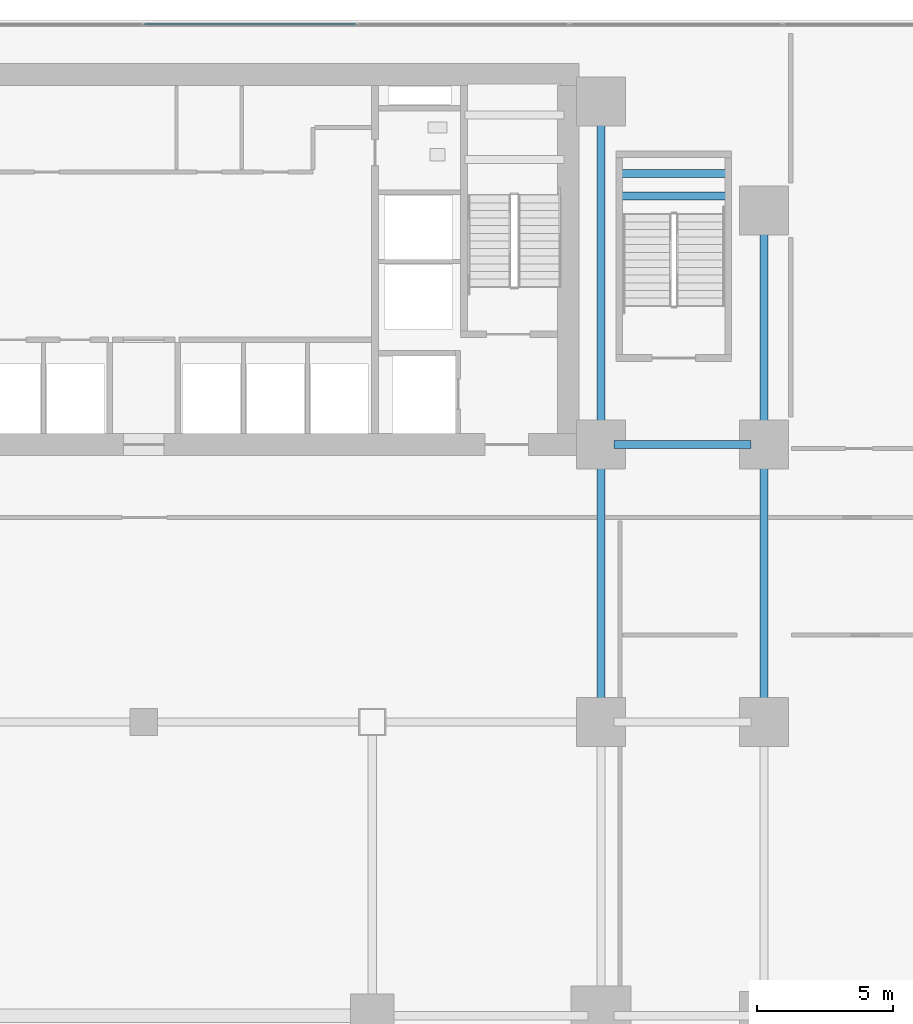
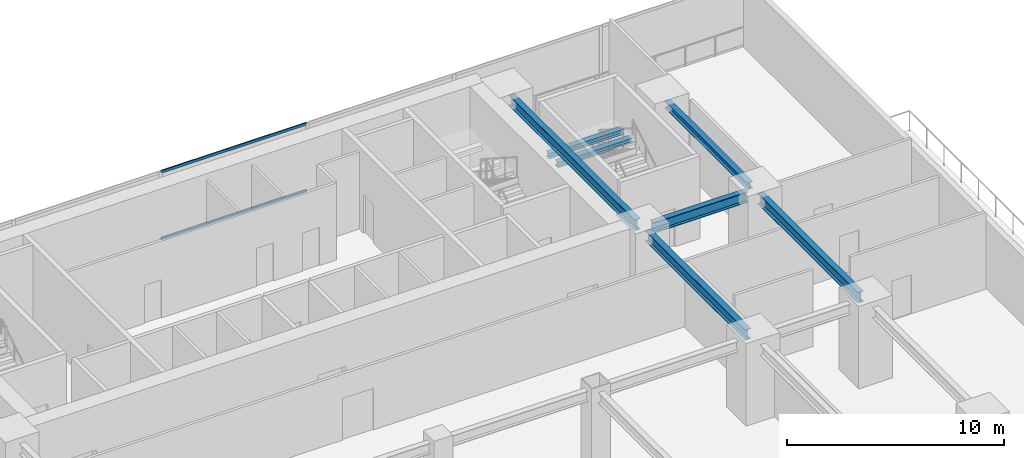
# One storey, part 4 of 15: 7 beams, 2 members, 1 element without a shape of its own.
"""IFC4 building model written with IfcOpenShell, lengths in metres."""

from ifc_helpers import new_model, si_unit, direction, frame, origin, origin_2d, place, context, subcontext, project, spatial, hollow_rectangle, i_section, extrude, source, transform, mapped, material, layer, layer_set, material_profile, profile_set, type_object, element, aggregate, save


model = new_model("IFC4")

# Units and contexts
model_context = context("Model", 3, precision=1e-05, world=origin(), true_north=direction((0.0, 1.0)))
body_context = subcontext(model_context, "Body", "Model", "MODEL_VIEW")
ifc_project = project(units=[si_unit("LENGTHUNIT", "METRE"), si_unit("AREAUNIT", "SQUARE_METRE"), si_unit("VOLUMEUNIT", "CUBIC_METRE"), si_unit("PLANEANGLEUNIT", "RADIAN"), si_unit("MASSUNIT", "GRAM", prefix="KILO")], contexts=[model_context])

# Site, building, storey
site_placement = place(None, origin())
site = spatial("IfcSite", under=ifc_project, at=site_placement, CompositionType="ELEMENT")
building_placement = place(site_placement, origin())
building = spatial("IfcBuilding", under=site, at=building_placement, Name="Sumidabori Civic Tower", CompositionType="ELEMENT")
storey_placement = place(building_placement, frame((0.0, 0.0, 14.300048828125)))
storey = spatial("IfcBuildingStorey", under=building, at=storey_placement, Name="L03", CompositionType="ELEMENT", Elevation=14.300048828125)

# Beams
ifc_material_1 = material(Name="Steel SN490", Category="steel")
ifc_material_profile_1 = material_profile(ifc_material_1, i_section(OverallWidth=0.300048828125, OverallDepth=0.60009765625, WebThickness=0.015380859375, FlangeThickness=0.030029296875, at=origin_2d()), Name="HE 600 B")
ifc_profile_set_1 = profile_set([ifc_material_profile_1], Name="Steel SN490")
beam_type_1 = type_object("IfcBeamType", Name="BM-GIRD-600", PredefinedType="BEAM", material=ifc_profile_set_1)
shared_shape_1 = source(origin(), body_context, "Body", "SweptSolid", [
    extrude(i_section(OverallWidth=0.300048828125, OverallDepth=0.60009765625, WebThickness=0.015380859375, FlangeThickness=0.030029296875, at=origin_2d()), origin(), (0.0, 0.0, 1.0), 5.0400390625),
])
beam_1_placement = place(storey_placement, frame((17.280029296875, 10.199951171875, 4.030029296875), z_axis=(1.0, 0.0, 0.0), x_axis=(0.0, 1.0, 0.0)))
element("IfcBeam", 1, at=beam_1_placement, inside=storey, type_object=beam_type_1, Name="Primary Girder L03 GX-18", PredefinedType="BEAM", context=body_context, shape_type="MappedRepresentation", body=[
    mapped(shared_shape_1, transform((0.0, 0.0, 0.0), x_axis=(1.0, 0.0, 0.0), y_axis=(0.0, 1.0, 0.0), z_axis=(0.0, 0.0, 1.0), scale=1.0)),
])
shared_shape_2 = source(origin(), body_context, "Body", "SweptSolid", [
    extrude(i_section(OverallWidth=0.300048828125, OverallDepth=0.60009765625, WebThickness=0.015380859375, FlangeThickness=0.030029296875, at=origin_2d()), origin(), (0.0, 0.0, 1.0), 9.239990234375),
])
for number, where, z_axis, x_axis, name in (
    (2, (16.800048828125, 0.47998046875, 4.030029296875), (0.0, 1.0, 0.0), (-1.0, 0.0, 0.0), "Primary Girder L03 GY-33"),
    (3, (22.800048828125, 0.47998046875, 4.030029296875), (0.0, 1.0, 0.0), (-1.0, 0.0, 0.0), "Primary Girder L03 GY-37"),
):
    element("IfcBeam", number, at=place(storey_placement, frame(where, z_axis=z_axis, x_axis=x_axis)), inside=storey, type_object=beam_type_1, Name=name, PredefinedType="BEAM", context=body_context, shape_type="MappedRepresentation", body=[
        mapped(shared_shape_2, transform((0.0, 0.0, 0.0), x_axis=(1.0, 0.0, 0.0), y_axis=(0.0, 1.0, 0.0), z_axis=(0.0, 0.0, 1.0), scale=1.0)),
    ])
ifc_material_profile_2 = material_profile(ifc_material_1, i_section(OverallWidth=0.300048828125, OverallDepth=0.39990234375, WebThickness=0.013427734375, FlangeThickness=0.02392578125, at=origin_2d()), Name="HE 400 B")
ifc_profile_set_2 = profile_set([ifc_material_profile_2], Name="Steel SN490")
beam_type_2 = type_object("IfcBeamType", Name="BM-GIRD-400", PredefinedType="BEAM", material=ifc_profile_set_2)
shared_shape_3 = source(origin(), body_context, "Body", "SweptSolid", [
    extrude(i_section(OverallWidth=0.300048828125, OverallDepth=0.39990234375, WebThickness=0.013427734375, FlangeThickness=0.02392578125, at=origin_2d()), origin(), (0.0, 0.0, 1.0), 7.64013671875),
])
beam_2_placement = place(storey_placement, frame((22.800048828125, 10.679931640625, 4.1298828125), z_axis=(0.0, 1.0, 0.0), x_axis=(-1.0, 0.0, 0.0)))
element("IfcBeam", 4, at=beam_2_placement, inside=storey, type_object=beam_type_2, Name="Primary Girder L03 GY-38", PredefinedType="BEAM", context=body_context, shape_type="MappedRepresentation", body=[
    mapped(shared_shape_3, transform((0.0, 0.0, 0.0), x_axis=(1.0, 0.0, 0.0), y_axis=(0.0, 1.0, 0.0), z_axis=(0.0, 0.0, 1.0), scale=1.0)),
])
shared_shape_4 = source(origin(), body_context, "Body", "SweptSolid", [
    extrude(i_section(OverallWidth=0.300048828125, OverallDepth=0.60009765625, WebThickness=0.015380859375, FlangeThickness=0.030029296875, at=origin_2d()), origin(), (0.0, 0.0, 1.0), 11.64013671875),
])
beam_3_placement = place(storey_placement, frame((16.800048828125, 10.679931640625, 4.030029296875), z_axis=(0.0, 1.0, 0.0), x_axis=(-1.0, 0.0, 0.0)))
element("IfcBeam", 5, at=beam_3_placement, inside=storey, type_object=beam_type_1, Name="Primary Girder L03 GY-34", PredefinedType="BEAM", context=body_context, shape_type="MappedRepresentation", body=[
    mapped(shared_shape_4, transform((0.0, 0.0, 0.0), x_axis=(1.0, 0.0, 0.0), y_axis=(0.0, 1.0, 0.0), z_axis=(0.0, 0.0, 1.0), scale=1.0)),
])
ifc_material_profile_3 = material_profile(ifc_material_1, i_section(OverallWidth=0.300048828125, OverallDepth=0.300048828125, WebThickness=0.010986328125, FlangeThickness=0.01904296875, at=origin_2d()), Name="HE 300 B")
ifc_profile_set_3 = profile_set([ifc_material_profile_3], Name="Steel SN490")
beam_type_3 = type_object("IfcBeamType", Name="BM-LDG-300", PredefinedType="BEAM", material=ifc_profile_set_3)
shared_shape_5 = source(origin(), body_context, "Body", "SweptSolid", [
    extrude(i_section(OverallWidth=0.300048828125, OverallDepth=0.300048828125, WebThickness=0.010986328125, FlangeThickness=0.01904296875, at=origin_2d()), origin(), (0.0, 0.0, 1.0), 4.0),
])
for number, where, z_axis, x_axis, name in (
    (6, (17.47998046875, 19.32568359375, 1.974853515625), (1.0, 0.0, 0.0), (0.0, 1.0, 0.0), "Stair ST-4 Landing Support Beam L03-1A"),
    (7, (17.47998046875, 20.15771484375, 1.974853515625), (1.0, 0.0, 0.0), (0.0, 1.0, 0.0), "Stair ST-4 Landing Trimmer Beam L03-1B"),
):
    element("IfcBeam", number, at=place(storey_placement, frame(where, z_axis=z_axis, x_axis=x_axis)), inside=storey, type_object=beam_type_3, Name=name, PredefinedType="BEAM", context=body_context, shape_type="MappedRepresentation", body=[
        mapped(shared_shape_5, transform((0.0, 0.0, 0.0), x_axis=(1.0, 0.0, 0.0), y_axis=(0.0, 1.0, 0.0), z_axis=(0.0, 0.0, 1.0), scale=1.0)),
    ])

# Curtain wall, members
ifc_material_2 = material(Name="Anodised Bronze Aluminium AW-6063-T6", Category="aluminium")
ifc_layer = layer(ifc_material_2, 0.179931640625, Name="Anodised Bronze Aluminium AW-6063-T6")
ifc_layer_set = layer_set([ifc_layer], Name="Anodised Bronze Aluminium AW-6063-T6")
curtain_wall_type = type_object("IfcCurtainWallType", Name="CW-SYS-1", PredefinedType="NOTDEFINED", material=ifc_layer_set)
curtain_wall_placement = place(storey_placement, origin())
curtain_wall = element("IfcCurtainWall", 8, at=curtain_wall_placement, inside=storey, type_object=curtain_wall_type, Name="Curtain Wall CW:L03:NORTH", PredefinedType="NOTDEFINED")
ifc_material_profile_4 = material_profile(ifc_material_2, hollow_rectangle(XDim=0.06494140625, YDim=0.14990234375, WallThickness=0.0048828125, at=origin_2d()), Name="ALU TRANSOM 150x65")
ifc_profile_set_4 = profile_set([ifc_material_profile_4], Name="Anodised Bronze Aluminium AW-6063-T6")
member_type = type_object("IfcMemberType", Name="CW-TRN-150", PredefinedType="USERDEFINED", material=ifc_profile_set_4)
shared_shape_6 = source(origin(), body_context, "Body", "SweptSolid", [
    extrude(hollow_rectangle(XDim=0.06494140625, YDim=0.14990234375, WallThickness=0.0048828125, at=origin_2d()), origin(), (0.0, 0.0, 1.0), 7.755126953125),
])
member_1_placement = place(storey_placement, frame((0.034912109375, 25.64990234375, 0.032470703125), z_axis=(1.0, 0.0, 0.0), x_axis=(0.0, 1.0, 0.0)))
member_1 = element("IfcMember", 9, at=member_1_placement, type_object=member_type, Name="CW-1 transom 5.1", ObjectType="TRANSOM", PredefinedType="USERDEFINED", context=body_context, shape_type="MappedRepresentation", body=[
    mapped(shared_shape_6, transform((0.0, 0.0, 0.0), x_axis=(1.0, 0.0, 0.0), y_axis=(0.0, 1.0, 0.0), z_axis=(0.0, 0.0, 1.0), scale=1.0)),
])
member_2_placement = place(storey_placement, frame((0.034912109375, 25.64990234375, 3.79736328125), z_axis=(1.0, 0.0, 0.0), x_axis=(0.0, 1.0, 0.0)))
member_2 = element("IfcMember", 10, at=member_2_placement, type_object=member_type, Name="CW-1 transom 5.2", ObjectType="TRANSOM", PredefinedType="USERDEFINED", context=body_context, shape_type="MappedRepresentation", body=[
    mapped(shared_shape_6, transform((0.0, 0.0, 0.0), x_axis=(1.0, 0.0, 0.0), y_axis=(0.0, 1.0, 0.0), z_axis=(0.0, 0.0, 1.0), scale=1.0)),
])
aggregate(curtain_wall, [member_1, member_2])

save(model, "model.ifc")
